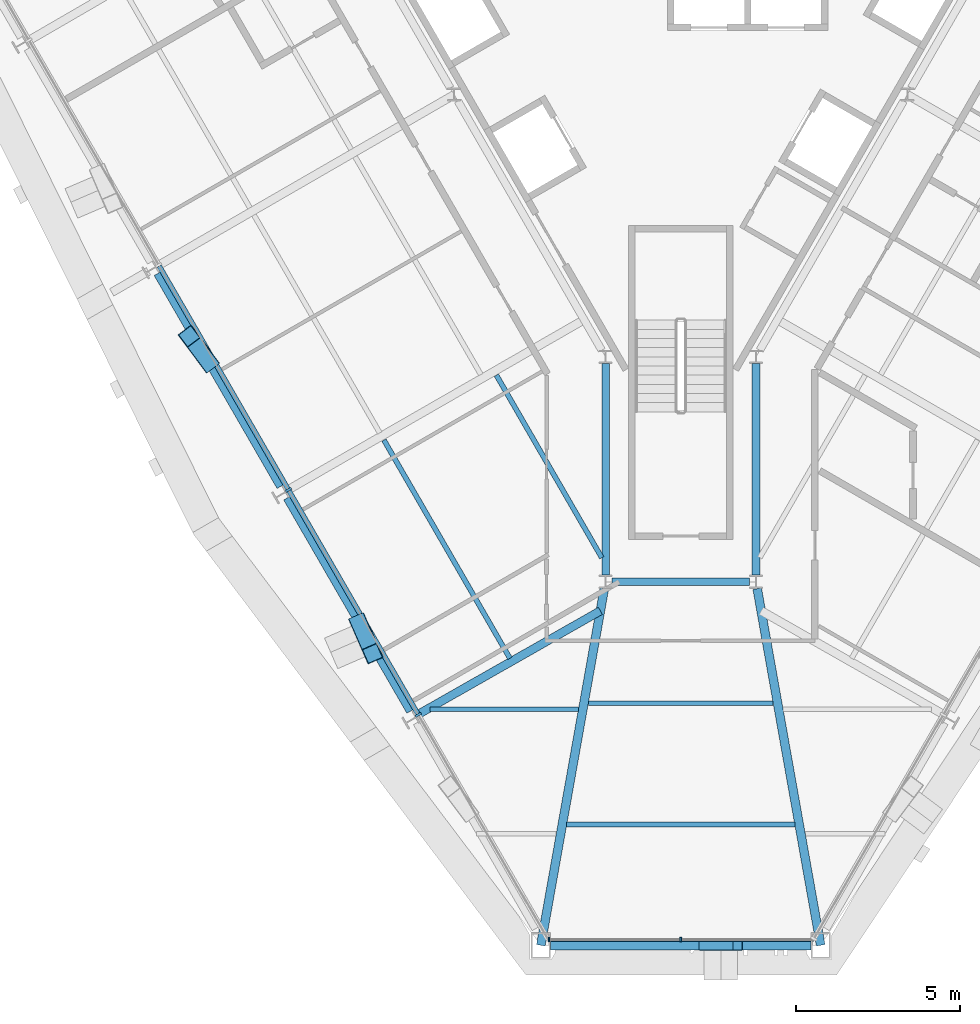
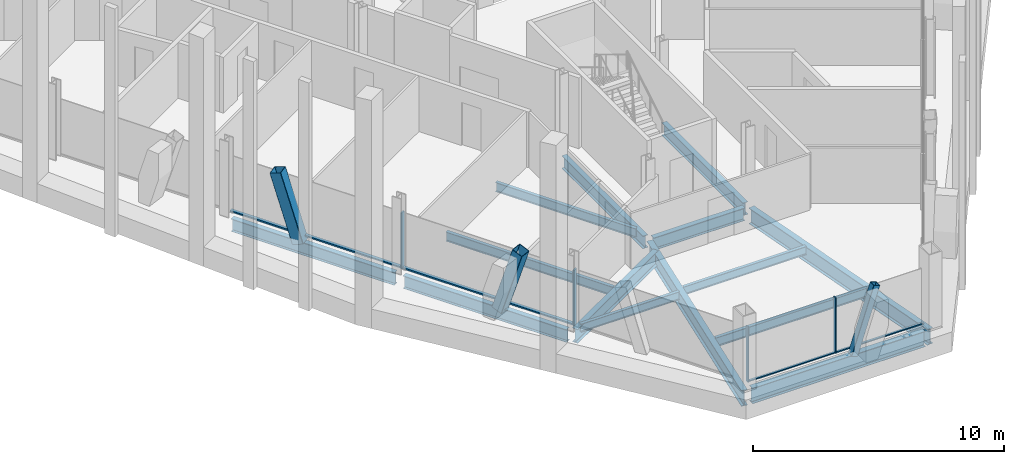
# One storey, part 3 of 15: 14 beams, 11 members, 2 elements without a shape of their own.
"""IFC4 building model written with IfcOpenShell, lengths in metres."""

import ifcopenshell
import ifcopenshell.guid

model = None  # the IFC model being written
_history = None  # IfcOwnerHistory: only IFC2X3 demands one
_inside = {}  # id of a spatial element -> (the spatial element, [elements in it])
_under = {}  # id of a project, library or spatial element -> (it, [spatial elements below it])
_declared = {}  # id of a project -> (the project, [libraries it declares])
_typed = {}  # id of a type object -> (the type object, [elements of that type])
_made_of = {}  # id of a material, layer set ... -> (it, [elements and type objects made of it])


def new_model(schema):
    """Start an empty IFC model of exactly this schema.

    Asked for "IFC4X3", IfcOpenShell would pick the latest addendum, in which some entities
    have other attributes; the version numbers below select the first issue.
    IFC2X3 requires an IfcOwnerHistory on every rooted entity: one is made here for all.
    """
    global model, _history
    if schema == "IFC4X3":
        model = ifcopenshell.file(schema_version=(4, 3, 0, 0))
    else:
        model = ifcopenshell.file(schema=schema)
    _inside.clear()
    _under.clear()
    _declared.clear()
    _typed.clear()
    _made_of.clear()
    _history = None
    if model.schema == "IFC2X3":
        org = make("IfcOrganization", Name="unknown")
        user = make(
            "IfcPersonAndOrganization",
            ThePerson=make("IfcPerson", FamilyName="unknown"),
            TheOrganization=org,
        )
        app = make(
            "IfcApplication",
            ApplicationDeveloper=org,
            Version="unknown",
            ApplicationFullName="unknown",
            ApplicationIdentifier="unknown",
        )
        _history = make(
            "IfcOwnerHistory",
            OwningUser=user,
            OwningApplication=app,
            ChangeAction="ADDED",
            CreationDate=0,
        )
    return model


def make(cls, **values):
    """One entity of the class cls with the attributes given. An attribute that is None is left unset."""
    return model.create_entity(
        cls, **{name: value for name, value in values.items() if value is not None}
    )


def rooted(cls, **values):
    """An entity with a GlobalId (a new one), such as an element, a storey or a relation."""
    return make(cls, GlobalId=ifcopenshell.guid.new(), OwnerHistory=_history, **values)


def si_unit(unit_type, name, prefix=None):
    """IfcSIUnit, for example si_unit("LENGTHUNIT", "METRE", prefix="MILLI")."""
    return make("IfcSIUnit", UnitType=unit_type, Prefix=prefix, Name=name)


def assignment(units):
    """IfcUnitAssignment: the units of a project."""
    return None if units is None else make("IfcUnitAssignment", Units=units)


def point(xyz):
    """IfcCartesianPoint."""
    return None if xyz is None else make("IfcCartesianPoint", Coordinates=xyz)


def direction(xyz):
    """IfcDirection."""
    return None if xyz is None else make("IfcDirection", DirectionRatios=xyz)


def frame(location, z_axis=None, x_axis=None):
    """IfcAxis2Placement3D, a coordinate frame: its origin and axes. An axis left out is left unset."""
    return make(
        "IfcAxis2Placement3D",
        Location=point(location),
        Axis=direction(z_axis),
        RefDirection=direction(x_axis),
    )


def frame_2d(location, x_axis=None):
    """IfcAxis2Placement2D, a coordinate frame in the plane: its origin and x axis."""
    return make(
        "IfcAxis2Placement2D", Location=point(location), RefDirection=direction(x_axis)
    )


def origin():
    """The frame at (0, 0, 0) with its axes left unset."""
    return frame((0.0, 0.0, 0.0))


def origin_2d():
    """The frame at (0, 0) in the plane with its x axis left unset."""
    return frame_2d((0.0, 0.0))


def place(relative_to, where):
    """IfcLocalPlacement: puts the frame where relative to a parent placement (None: the world)."""
    return make(
        "IfcLocalPlacement", PlacementRelTo=relative_to, RelativePlacement=where
    )


def context(
    kind, dimensions, precision=None, world=None, true_north=None, identifier=None
):
    """IfcGeometricRepresentationContext, for example the 3D "Model" context."""
    return make(
        "IfcGeometricRepresentationContext",
        ContextIdentifier=identifier,
        ContextType=kind,
        CoordinateSpaceDimension=dimensions,
        Precision=precision,
        WorldCoordinateSystem=world,
        TrueNorth=true_north,
    )


def subcontext(parent, identifier, kind, view, scale=None):
    """IfcGeometricRepresentationSubContext, for example "Body" below "Model"."""
    return make(
        "IfcGeometricRepresentationSubContext",
        ContextIdentifier=identifier,
        ContextType=kind,
        ParentContext=parent,
        TargetScale=scale,
        TargetView=view,
    )


def project(units=None, contexts=None):
    """IfcProject with its units and contexts."""
    return rooted(
        "IfcProject",
        Name="project",
        RepresentationContexts=contexts,
        UnitsInContext=assignment(units),
    )


def spatial(cls, under=None, at=None, **own):
    """A site, building, storey or space (cls), placed at a placement, below another one or the project."""
    s = rooted(cls, ObjectPlacement=at, **own)
    if under is not None:
        _under.setdefault(under.id(), (under, []))[1].append(s)
    return s


def profile(cls, at=None, kind="AREA", **sizes):
    """A parametric profile (cls). Its sizes go by their IFC names, for example OverallWidth=200.0."""
    return make(cls, ProfileType=kind, Position=at, **sizes)


def rectangle(**sizes):
    """IfcRectangleProfileDef."""
    return profile("IfcRectangleProfileDef", **sizes)


def hollow_rectangle(**sizes):
    """IfcRectangleHollowProfileDef."""
    return profile("IfcRectangleHollowProfileDef", **sizes)


def i_section(**sizes):
    """IfcIShapeProfileDef."""
    return profile("IfcIShapeProfileDef", **sizes)


def extrude(swept, where, along, depth):
    """IfcExtrudedAreaSolid: the profile swept, set in the frame where, extruded along a direction by depth."""
    return make(
        "IfcExtrudedAreaSolid",
        SweptArea=swept,
        Position=where,
        ExtrudedDirection=direction(along),
        Depth=depth,
    )


def shape(context_of_items, identifier, shape_type, items):
    """IfcShapeRepresentation: the items that make up one representation, for example the "Body"."""
    return make(
        "IfcShapeRepresentation",
        ContextOfItems=context_of_items,
        RepresentationIdentifier=identifier,
        RepresentationType=shape_type,
        Items=items,
    )


def material(Name=None, Category=None):
    """IfcMaterial."""
    return make("IfcMaterial", Name=Name, Category=Category)


def material_profile(
    of_material, cross_section, Name=None, Category=None, Priority=None
):
    """IfcMaterialProfile: a cross section and its material."""
    return make(
        "IfcMaterialProfile",
        Name=Name,
        Material=of_material,
        Profile=cross_section,
        Priority=Priority,
        Category=Category,
    )


def profile_set(profiles, Name=None, composite=None):
    """IfcMaterialProfileSet."""
    return make(
        "IfcMaterialProfileSet",
        Name=Name,
        MaterialProfiles=profiles,
        CompositeProfile=composite,
    )


def made_of(thing, what):
    """Note that an element or type object is made of a material, layer set ...; save() writes the relation."""
    if what is not None:
        _made_of.setdefault(what.id(), (what, []))[1].append(thing)
    return thing


def type_object(cls, material=None, **own):
    """A type object (cls), such as IfcWallType, which elements share."""
    return made_of(rooted(cls, **own), material)


def element(
    cls,
    number,
    at=None,
    inside=None,
    cuts=None,
    type_object=None,
    material=None,
    context=None,
    identifier="Body",
    shape_type=None,
    held_by="IfcProductDefinitionShape",
    body=None,
    shapes=None,
    **own,
):
    """One element of the class cls, such as IfcWall. Its Tag is "e" and its number.

    at: its placement. inside: the storey or other place that contains it. cuts: it is an
    opening in that element (IfcRelVoidsElement). A single representation is given by context,
    identifier, shape_type and body (its items); several are given by shapes. held_by: the class
    of the entity that holds the representations. save() writes the other relations.
    """
    e = rooted(cls, Tag="e%d" % number, ObjectPlacement=at, **own)
    if body is not None:
        shapes = [shape(context, identifier, shape_type, body)]
    if shapes is not None:
        e.Representation = make(held_by, Representations=shapes)
    if inside is not None:
        _inside.setdefault(inside.id(), (inside, []))[1].append(e)
    if cuts is not None:
        rooted(
            "IfcRelVoidsElement", RelatingBuildingElement=cuts, RelatedOpeningElement=e
        )
    if type_object is not None:
        _typed.setdefault(type_object.id(), (type_object, []))[1].append(e)
    return made_of(e, material)


def aggregate(whole, parts):
    """IfcRelAggregates: a whole, such as a stair, and the parts it consists of."""
    return rooted("IfcRelAggregates", RelatingObject=whole, RelatedObjects=parts)


def save(model, path):
    """Write the relations noted so far, then the file.

    IfcRelAggregates (storeys below a building ...), IfcRelContainedInSpatialStructure (elements
    in a storey), IfcRelDefinesByType, IfcRelAssociatesMaterial and IfcRelDeclares: one each for
    every whole, place, type object, material and project.
    """
    for whole, parts in _under.values():
        aggregate(whole, parts)
    for where, things in _inside.values():
        rooted(
            "IfcRelContainedInSpatialStructure",
            RelatedElements=things,
            RelatingStructure=where,
        )
    for kind, things in _typed.values():
        rooted("IfcRelDefinesByType", RelatedObjects=things, RelatingType=kind)
    for what, things in _made_of.values():
        rooted("IfcRelAssociatesMaterial", RelatedObjects=things, RelatingMaterial=what)
    for by, libraries in _declared.values():
        rooted("IfcRelDeclares", RelatingContext=by, RelatedDefinitions=libraries)
    model.write(path)


model = new_model("IFC4")

# Units and contexts
model_context = context("Model", 3, precision=1e-05, world=origin(), true_north=direction((0.0, 1.0)))
body_context = subcontext(model_context, "Body", "Model", "MODEL_VIEW")
ifc_project = project(units=[si_unit("LENGTHUNIT", "METRE"), si_unit("AREAUNIT", "SQUARE_METRE"), si_unit("VOLUMEUNIT", "CUBIC_METRE"), si_unit("PLANEANGLEUNIT", "RADIAN"), si_unit("MASSUNIT", "GRAM", prefix="KILO")], contexts=[model_context])

# Site, building, storey
site_placement = place(None, origin())
site = spatial("IfcSite", under=ifc_project, at=site_placement, CompositionType="ELEMENT")
building_placement = place(site_placement, origin())
building = spatial("IfcBuilding", under=site, at=building_placement, Name="Verrane Prism Tower", CompositionType="ELEMENT")
storey_placement = place(building_placement, frame((0.0, 0.0, 189.5)))
storey = spatial("IfcBuildingStorey", under=building, at=storey_placement, Name="L47", CompositionType="ELEMENT", Elevation=189.5)

# Member
ifc_material_1 = material(Name="Steel A500 Grade C", Category="steel")
ifc_material_profile_1 = material_profile(ifc_material_1, hollow_rectangle(XDim=0.3046875, YDim=0.3046875, WallThickness=0.0126953125, InnerFilletRadius=0.00634765625, OuterFilletRadius=0.01904296875, at=origin_2d()), Name="HSS12x12x1/2")
ifc_profile_set_1 = profile_set([ifc_material_profile_1], Name="Steel A500 Grade C")
member_type_1 = type_object("IfcMemberType", Name="Chamfer brace HSS12x12x1/2", PredefinedType="BRACE", material=ifc_profile_set_1)
member_1_placement = place(storey_placement, frame((0.709228515625, -30.02001953125, -0.24267578125), z_axis=(0.313832740358, 0.0, 0.949478283627), x_axis=(0.0, 1.0, 0.0)))
element("IfcMember", 1, at=member_1_placement, inside=storey, type_object=member_type_1, Name="Chamfer brace S0 L47", PredefinedType="BRACE", context=body_context, shape_type="SweptSolid", body=[
    extrude(hollow_rectangle(XDim=0.3046875, YDim=0.3046875, WallThickness=0.0126953125, InnerFilletRadius=0.00634765625, OuterFilletRadius=0.01904296875, at=origin_2d()), origin(), (0.0, 0.0, 1.0), 3.2734375),
])

# Beams
ifc_material_2 = material(Name="Steel A992", Category="steel")
ifc_material_profile_2 = material_profile(ifc_material_2, i_section(OverallWidth=0.2666015625, OverallDepth=0.7568359375, WebThickness=0.013916015625, FlangeThickness=0.019287109375, FilletRadius=0.0166015625, at=origin_2d()), Name="W30x108")
ifc_profile_set_2 = profile_set([ifc_material_profile_2], Name="Steel A992")
beam_type_1 = type_object("IfcBeamType", Name="Chamfer spandrel beam W30x108", PredefinedType="SPANDREL", material=ifc_profile_set_2)
beam_1_placement = place(storey_placement, frame((-3.97998046875, -30.02001953125, -0.53857421875), z_axis=(1.0, 0.0, 0.0), x_axis=(0.0, 1.0, 0.0)))
element("IfcBeam", 2, at=beam_1_placement, inside=storey, type_object=beam_type_1, Name="Chamfer spandrel beam L47", PredefinedType="SPANDREL", context=body_context, shape_type="SweptSolid", body=[
    extrude(i_section(OverallWidth=0.2666015625, OverallDepth=0.7568359375, WebThickness=0.013916015625, FlangeThickness=0.019287109375, FilletRadius=0.0166015625, at=origin_2d()), origin(), (0.0, 0.0, 1.0), 7.9599609375),
])
ifc_material_3 = material(Name="Steel A992", Category="steel")
ifc_material_profile_3 = material_profile(ifc_material_3, i_section(OverallWidth=0.23046875, OverallDepth=0.6171875, WebThickness=0.01318359375, FlangeThickness=0.022216796875, FilletRadius=0.012939453125, at=origin_2d()), Name="W24x94")
ifc_profile_set_3 = profile_set([ifc_material_profile_3], Name="Steel A992")
beam_type_2 = type_object("IfcBeamType", Name="Core ring girder W24x94", PredefinedType="BEAM", material=ifc_profile_set_3)
beam_2_placement = place(storey_placement, frame((-2.300048828125, -12.219482421875, -0.55859375), z_axis=(0.0, -1.0, 0.0), x_axis=(1.0, 0.0, 0.0)))
element("IfcBeam", 3, at=beam_2_placement, inside=storey, type_object=beam_type_2, Name="Core ring girder L47", PredefinedType="BEAM", context=body_context, shape_type="SweptSolid", body=[
    extrude(i_section(OverallWidth=0.23046875, OverallDepth=0.6171875, WebThickness=0.01318359375, FlangeThickness=0.022216796875, FilletRadius=0.012939453125, at=origin_2d()), origin(), (0.0, 0.0, 1.0), 6.47216796875),
])
beam_3_placement = place(storey_placement, frame((-2.0966796875, -18.89990234375, -0.55859375), z_axis=(1.0, 0.0, 0.0), x_axis=(0.0, 1.0, 0.0)))
element("IfcBeam", 4, at=beam_3_placement, inside=storey, type_object=beam_type_2, Name="Core ring girder L47", PredefinedType="BEAM", context=body_context, shape_type="SweptSolid", body=[
    extrude(i_section(OverallWidth=0.23046875, OverallDepth=0.6171875, WebThickness=0.01318359375, FlangeThickness=0.022216796875, FilletRadius=0.012939453125, at=origin_2d()), origin(), (0.0, 0.0, 1.0), 4.193359375),
])
beam_4_placement = place(storey_placement, frame((2.300048828125, -18.691650390625, -0.55859375), z_axis=(0.0, 1.0, 0.0), x_axis=(-1.0, 0.0, 0.0)))
element("IfcBeam", 5, at=beam_4_placement, inside=storey, type_object=beam_type_2, Name="Core ring girder L47", PredefinedType="BEAM", context=body_context, shape_type="SweptSolid", body=[
    extrude(i_section(OverallWidth=0.23046875, OverallDepth=0.6171875, WebThickness=0.01318359375, FlangeThickness=0.022216796875, FilletRadius=0.012939453125, at=origin_2d()), origin(), (0.0, 0.0, 1.0), 6.47216796875),
])
ifc_material_4 = material(Name="Steel A992", Category="steel")
ifc_material_profile_4 = material_profile(ifc_material_4, i_section(OverallWidth=0.2666015625, OverallDepth=0.76708984375, WebThickness=0.014892578125, FlangeThickness=0.023681640625, FilletRadius=0.0166015625, at=origin_2d()), Name="W30x124")
ifc_profile_set_4 = profile_set([ifc_material_profile_4], Name="Steel A992")
beam_type_3 = type_object("IfcBeamType", Name="Corner girder W30x124", PredefinedType="BEAM", material=ifc_profile_set_4)
beam_5_placement = place(storey_placement, frame((-4.2783203125, -30.010986328125, -0.603515625), z_axis=(0.175289303182, 0.984516967954, 0.0), x_axis=(-0.984516967954, 0.175289303182, 0.0)))
element("IfcBeam", 6, at=beam_5_placement, inside=storey, type_object=beam_type_3, Name="Corner girder L47", PredefinedType="BEAM", context=body_context, shape_type="SweptSolid", body=[
    extrude(i_section(OverallWidth=0.2666015625, OverallDepth=0.76708984375, WebThickness=0.014892578125, FlangeThickness=0.023681640625, FilletRadius=0.0166015625, at=origin_2d()), origin(), (0.0, 0.0, 1.0), 11.073974609375),
])
beam_6_placement = place(storey_placement, frame((4.2783203125, -30.010498046875, -0.603515625), z_axis=(-0.175296912765, 0.984515613068, 0.0), x_axis=(-0.984515613068, -0.175296912765, 0.0)))
element("IfcBeam", 7, at=beam_6_placement, inside=storey, type_object=beam_type_3, Name="Corner girder L47", PredefinedType="BEAM", context=body_context, shape_type="SweptSolid", body=[
    extrude(i_section(OverallWidth=0.2666015625, OverallDepth=0.76708984375, WebThickness=0.014892578125, FlangeThickness=0.023681640625, FilletRadius=0.0166015625, at=origin_2d()), origin(), (0.0, 0.0, 1.0), 11.073486328125),
])

# Members
ifc_material_5 = material(Name="Steel A500 Grade C", Category="steel")
ifc_material_profile_5 = material_profile(ifc_material_5, hollow_rectangle(XDim=0.508056640625, YDim=0.508056640625, WallThickness=0.01904296875, InnerFilletRadius=0.009521484375, OuterFilletRadius=0.028564453125, at=origin_2d()), Name="HSS20x20x3/4")
ifc_profile_set_5 = profile_set([ifc_material_profile_5], Name="Steel A500 Grade C")
member_type_2 = type_object("IfcMemberType", Name="Facade brace HSS20x20x3/4", PredefinedType="BRACE", material=ifc_profile_set_5)
member_2_placement = place(storey_placement, frame((-14.442138671875, -12.1767578125, -0.216796875), z_axis=(-0.175063394954, 0.234732478674, 0.956166027007), x_axis=(-0.801613293735, -0.597842895172, 0.0)))
element("IfcMember", 8, at=member_2_placement, inside=storey, type_object=member_type_2, Name="Facade brace SW3 L47", PredefinedType="BRACE", context=body_context, shape_type="SweptSolid", body=[
    extrude(hollow_rectangle(XDim=0.508056640625, YDim=0.508056640625, WallThickness=0.01904296875, InnerFilletRadius=0.009521484375, OuterFilletRadius=0.028564453125, at=origin_2d()), origin(), (0.0, 0.0, 1.0), 3.3427734375),
])
member_3_placement = place(storey_placement, frame((-9.83349609375, -20.158935546875, -0.216796875), z_axis=(0.121178905149, -0.278238411041, 0.952837373096), x_axis=(0.916822055057, 0.399296029733, 0.0)))
element("IfcMember", 9, at=member_3_placement, inside=storey, type_object=member_type_2, Name="Facade brace SW4 L47", PredefinedType="BRACE", context=body_context, shape_type="SweptSolid", body=[
    extrude(hollow_rectangle(XDim=0.508056640625, YDim=0.508056640625, WallThickness=0.01904296875, InnerFilletRadius=0.009521484375, OuterFilletRadius=0.028564453125, at=origin_2d()), origin(), (0.0, 0.0, 1.0), 3.3544921875),
])

# Beams
ifc_material_6 = material(Name="Steel A992", Category="steel")
ifc_material_profile_6 = material_profile(ifc_material_6, i_section(OverallWidth=0.140380859375, OverallDepth=0.40380859375, WebThickness=0.007080078125, FlangeThickness=0.01123046875, FilletRadius=0.01025390625, at=origin_2d()), Name="W16x31")
ifc_profile_set_6 = profile_set([ifc_material_profile_6], Name="Steel A992")
beam_type_4 = type_object("IfcBeamType", Name="Floor beam W16x31", PredefinedType="BEAM", material=ifc_profile_set_6)
beam_7_placement = place(storey_placement, frame((-7.672119140625, -22.796630859375, -0.36181640625), z_axis=(1.0, 0.0, 0.0), x_axis=(0.0, 1.0, 0.0)))
element("IfcBeam", 10, at=beam_7_placement, inside=storey, type_object=beam_type_4, Name="Floor beam L47", PredefinedType="BEAM", context=body_context, shape_type="SweptSolid", body=[
    extrude(i_section(OverallWidth=0.140380859375, OverallDepth=0.40380859375, WebThickness=0.007080078125, FlangeThickness=0.01123046875, FilletRadius=0.01025390625, at=origin_2d()), origin(), (0.0, 0.0, 1.0), 4.541015625),
])
beam_8_placement = place(storey_placement, frame((-2.825927734375, -22.606689453125, -0.36181640625), z_axis=(1.0, 0.0, 0.0), x_axis=(0.0, 1.0, 0.0)))
element("IfcBeam", 11, at=beam_8_placement, inside=storey, type_object=beam_type_4, Name="Floor beam L47", PredefinedType="BEAM", context=body_context, shape_type="SweptSolid", body=[
    extrude(i_section(OverallWidth=0.140380859375, OverallDepth=0.40380859375, WebThickness=0.007080078125, FlangeThickness=0.01123046875, FilletRadius=0.01025390625, at=origin_2d()), origin(), (0.0, 0.0, 1.0), 5.65185546875),
])
ifc_material_7 = material(Name="Steel A992", Category="steel")
ifc_material_profile_7 = material_profile(ifc_material_7, i_section(OverallWidth=0.15234375, OverallDepth=0.449462890625, WebThickness=0.007568359375, FlangeThickness=0.0107421875, FilletRadius=0.01025390625, at=origin_2d()), Name="W18x35")
ifc_profile_set_7 = profile_set([ifc_material_profile_7], Name="Steel A992")
beam_type_5 = type_object("IfcBeamType", Name="Floor beam W18x35", PredefinedType="BEAM", material=ifc_profile_set_7)
beam_9_placement = place(storey_placement, frame((-2.4150390625, -18.16064453125, -0.384765625), z_axis=(-0.499994722028, 0.866028451001, 0.0), x_axis=(-0.866028451001, -0.499994722028, 0.0)))
element("IfcBeam", 12, at=beam_9_placement, inside=storey, type_object=beam_type_5, Name="Floor beam L47", PredefinedType="BEAM", context=body_context, shape_type="SweptSolid", body=[
    extrude(i_section(OverallWidth=0.15234375, OverallDepth=0.449462890625, WebThickness=0.007568359375, FlangeThickness=0.0107421875, FilletRadius=0.01025390625, at=origin_2d()), origin(), (0.0, 0.0, 1.0), 6.4423828125),
])
beam_10_placement = place(storey_placement, frame((-5.222900390625, -21.237060546875, -0.384765625), z_axis=(-0.500007761655, 0.866020922544, 0.0), x_axis=(-0.866020922544, -0.500007761655, 0.0)))
element("IfcBeam", 13, at=beam_10_placement, inside=storey, type_object=beam_type_5, Name="Floor beam L47", PredefinedType="BEAM", context=body_context, shape_type="SweptSolid", body=[
    extrude(i_section(OverallWidth=0.15234375, OverallDepth=0.449462890625, WebThickness=0.007568359375, FlangeThickness=0.0107421875, FilletRadius=0.01025390625, at=origin_2d()), origin(), (0.0, 0.0, 1.0), 7.70361328125),
])
beam_11_placement = place(storey_placement, frame((-3.486083984375, -26.313232421875, -0.384765625), z_axis=(1.0, 0.0, 0.0), x_axis=(0.0, 1.0, 0.0)))
element("IfcBeam", 14, at=beam_11_placement, inside=storey, type_object=beam_type_5, Name="Floor beam L47", PredefinedType="BEAM", context=body_context, shape_type="SweptSolid", body=[
    extrude(i_section(OverallWidth=0.15234375, OverallDepth=0.449462890625, WebThickness=0.007568359375, FlangeThickness=0.0107421875, FilletRadius=0.01025390625, at=origin_2d()), origin(), (0.0, 0.0, 1.0), 6.97216796875),
])

# Curtain wall, members
ifc_material_8 = material(Name="Aluminium framed insulated glazing", Category="aluminium")
curtain_wall_type_1 = type_object("IfcCurtainWallType", Name="Curtain wall CW-C 4200 module", PredefinedType="NOTDEFINED", material=ifc_material_8)
curtain_wall_1_placement = place(storey_placement, origin())
curtain_wall_1 = element("IfcCurtainWall", 15, at=curtain_wall_1_placement, inside=storey, type_object=curtain_wall_type_1, Name="Glazed curtain wall south corner L47", PredefinedType="NOTDEFINED")
ifc_material_9 = material(Name="Aluminium alloy 6063-T6", Category="aluminium")
ifc_material_profile_8 = material_profile(ifc_material_9, rectangle(XDim=0.139892578125, YDim=0.050048828125, at=origin_2d()), Name="Mullion 50x140 aluminium")
ifc_profile_set_8 = profile_set([ifc_material_profile_8], Name="Aluminium alloy 6063-T6")
member_type_3 = type_object("IfcMemberType", Name="Mullion 50x140 aluminium", PredefinedType="MULLION", material=ifc_profile_set_8)
member_4_placement = place(storey_placement, frame((-4.0302734375, -29.838134765625, 0.0), z_axis=(0.0, 0.0, 1.0), x_axis=(0.0, 1.0, 0.0)))
member_4 = element("IfcMember", 16, at=member_4_placement, type_object=member_type_3, Name="CW47.5 mullion 1", PredefinedType="MULLION", context=body_context, shape_type="SweptSolid", body=[
    extrude(rectangle(XDim=0.139892578125, YDim=0.050048828125, at=origin_2d()), origin(), (0.0, 0.0, 1.0), 2.712890625),
])
member_5_placement = place(storey_placement, frame((0.0, -29.838134765625, 0.0), z_axis=(0.0, 0.0, 1.0), x_axis=(0.0, 1.0, 0.0)))
member_5 = element("IfcMember", 17, at=member_5_placement, type_object=member_type_3, Name="CW47.5 mullion 2", PredefinedType="MULLION", context=body_context, shape_type="SweptSolid", body=[
    extrude(rectangle(XDim=0.139892578125, YDim=0.050048828125, at=origin_2d()), origin(), (0.0, 0.0, 1.0), 2.712890625),
])

ifc_material_10 = material(Name="Aluminium framed insulated glazing", Category="aluminium")
curtain_wall_type_2 = type_object("IfcCurtainWallType", Name="Curtain wall CW-A 8400 module", PredefinedType="NOTDEFINED", material=ifc_material_10)
curtain_wall_2_placement = place(storey_placement, origin())
curtain_wall_2 = element("IfcCurtainWall", 18, at=curtain_wall_2_placement, inside=storey, type_object=curtain_wall_type_2, Name="Glazed curtain wall south-west face L47", PredefinedType="NOTDEFINED")
ifc_material_11 = material(Name="Aluminium alloy 6063-T6", Category="aluminium")
ifc_material_profile_9 = material_profile(ifc_material_11, rectangle(XDim=0.199951171875, YDim=0.070068359375, at=origin_2d()), Name="Mullion 70x200 aluminium")
ifc_profile_set_9 = profile_set([ifc_material_profile_9], Name="Aluminium alloy 6063-T6")
member_type_4 = type_object("IfcMemberType", Name="Mullion 70x200 aluminium", PredefinedType="MULLION", material=ifc_profile_set_9)
member_6_placement = place(storey_placement, frame((-11.992919921875, -16.089599609375, 0.0), z_axis=(0.0, 0.0, 1.0), x_axis=(0.866025652206, 0.499999569721, 0.0)))
member_6 = element("IfcMember", 19, at=member_6_placement, type_object=member_type_4, Name="CW47.4 mullion 5", PredefinedType="MULLION", context=body_context, shape_type="SweptSolid", body=[
    extrude(rectangle(XDim=0.199951171875, YDim=0.070068359375, at=origin_2d()), origin(), (0.0, 0.0, 1.0), 2.712890625),
])
member_7_placement = place(storey_placement, frame((-8.024169921875, -22.9638671875, 0.0), z_axis=(0.0, 0.0, 1.0), x_axis=(0.866025652206, 0.499999569721, 0.0)))
member_7 = element("IfcMember", 20, at=member_7_placement, type_object=member_type_4, Name="CW47.4 mullion 6", PredefinedType="MULLION", context=body_context, shape_type="SweptSolid", body=[
    extrude(rectangle(XDim=0.199951171875, YDim=0.070068359375, at=origin_2d()), origin(), (0.0, 0.0, 1.0), 2.712890625),
])

# Beams
ifc_material_12 = material(Name="Steel A992", Category="steel")
ifc_material_profile_10 = material_profile(ifc_material_12, i_section(OverallWidth=0.25390625, OverallDepth=0.683349609375, WebThickness=0.012451171875, FlangeThickness=0.01904296875, FilletRadius=0.01513671875, at=origin_2d()), Name="W27x94")
ifc_profile_set_10 = profile_set([ifc_material_profile_10], Name="Steel A992")
beam_type_6 = type_object("IfcBeamType", Name="Radial girder W27x94", PredefinedType="BEAM", material=ifc_profile_set_10)
beam_12_placement = place(storey_placement, frame((-7.991455078125, -22.931396484375, -0.5615234375), z_axis=(0.869364435305, 0.4941715073, 0.0), x_axis=(-0.4941715073, 0.869364435305, 0.0)))
element("IfcBeam", 21, at=beam_12_placement, inside=storey, type_object=beam_type_6, Name="Radial girder L47", PredefinedType="BEAM", context=body_context, shape_type="SweptSolid", body=[
    extrude(i_section(OverallWidth=0.25390625, OverallDepth=0.683349609375, WebThickness=0.012451171875, FlangeThickness=0.01904296875, FilletRadius=0.01513671875, at=origin_2d()), origin(), (0.0, 0.0, 1.0), 6.365234375),
])
ifc_material_13 = material(Name="Steel A992", Category="steel")
ifc_material_profile_11 = material_profile(ifc_material_13, i_section(OverallWidth=0.23046875, OverallDepth=0.6171875, WebThickness=0.01318359375, FlangeThickness=0.022216796875, FilletRadius=0.012939453125, at=origin_2d()), Name="W24x94")
ifc_profile_set_11 = profile_set([ifc_material_profile_11], Name="Steel A992")
beam_type_7 = type_object("IfcBeamType", Name="Spandrel beam W24x94", PredefinedType="SPANDREL", material=ifc_profile_set_11)
beam_13_placement = place(storey_placement, frame((-15.99951171875, -9.478271484375, -0.468505859375), z_axis=(0.499866795347, -0.866102295869, 0.0), x_axis=(0.866102295869, 0.499866795347, 0.0)))
element("IfcBeam", 22, at=beam_13_placement, inside=storey, type_object=beam_type_7, Name="Spandrel beam L47", PredefinedType="SPANDREL", context=body_context, shape_type="SweptSolid", body=[
    extrude(i_section(OverallWidth=0.23046875, OverallDepth=0.6171875, WebThickness=0.01318359375, FlangeThickness=0.022216796875, FilletRadius=0.012939453125, at=origin_2d()), origin(), (0.0, 0.0, 1.0), 7.51611328125),
])
beam_14_placement = place(storey_placement, frame((-12.039306640625, -16.340087890625, -0.468505859375), z_axis=(0.500178170907, -0.865922512323, 0.0), x_axis=(0.865922512323, 0.500178170907, 0.0)))
element("IfcBeam", 23, at=beam_14_placement, inside=storey, type_object=beam_type_7, Name="Spandrel beam L47", PredefinedType="SPANDREL", context=body_context, shape_type="SweptSolid", body=[
    extrude(i_section(OverallWidth=0.23046875, OverallDepth=0.6171875, WebThickness=0.01318359375, FlangeThickness=0.022216796875, FilletRadius=0.012939453125, at=origin_2d()), origin(), (0.0, 0.0, 1.0), 7.527587890625),
])

# Member
ifc_material_14 = material(Name="Aluminium alloy 6063-T6", Category="aluminium")
ifc_material_profile_12 = material_profile(ifc_material_14, rectangle(XDim=0.10009765625, YDim=0.050048828125, at=origin_2d()), Name="Transom 50x100 aluminium")
ifc_profile_set_12 = profile_set([ifc_material_profile_12], Name="Aluminium alloy 6063-T6")
member_type_5 = type_object("IfcMemberType", Name="Transom 50x100 aluminium", PredefinedType="USERDEFINED", material=ifc_profile_set_12)
member_8_placement = place(storey_placement, frame((-4.00537109375, -29.838134765625, 0.02490234375), z_axis=(1.0, 0.0, 0.0), x_axis=(0.0, 1.0, 0.0)))
member_8 = element("IfcMember", 24, at=member_8_placement, type_object=member_type_5, Name="CW47.5 transom 1", ObjectType="TRANSOM", PredefinedType="USERDEFINED", context=body_context, shape_type="SweptSolid", body=[
    extrude(rectangle(XDim=0.10009765625, YDim=0.050048828125, at=origin_2d()), origin(), (0.0, 0.0, 1.0), 3.98046875),
])

member_9_placement = place(storey_placement, frame((0.02490234375, -29.838134765625, 0.02490234375), z_axis=(1.0, 0.0, 0.0), x_axis=(0.0, 1.0, 0.0)))
member_9 = element("IfcMember", 25, at=member_9_placement, type_object=member_type_5, Name="CW47.5 transom 2", ObjectType="TRANSOM", PredefinedType="USERDEFINED", context=body_context, shape_type="SweptSolid", body=[
    extrude(rectangle(XDim=0.10009765625, YDim=0.050048828125, at=origin_2d()), origin(), (0.0, 0.0, 1.0), 4.030517578125),
])

aggregate(curtain_wall_1, [member_4, member_5, member_8, member_9])

ifc_material_15 = material(Name="Aluminium alloy 6063-T6", Category="aluminium")
ifc_material_profile_13 = material_profile(ifc_material_15, rectangle(XDim=0.14990234375, YDim=0.070068359375, at=origin_2d()), Name="Transom 70x150 aluminium")
ifc_profile_set_13 = profile_set([ifc_material_profile_13], Name="Aluminium alloy 6063-T6")
member_type_6 = type_object("IfcMemberType", Name="Transom 70x150 aluminium", PredefinedType="USERDEFINED", material=ifc_profile_set_13)
member_10_placement = place(storey_placement, frame((-15.9443359375, -9.245849609375, 0.034912109375), z_axis=(0.50000718421, -0.866021255939, 0.0), x_axis=(0.866021255939, 0.50000718421, 0.0)))
member_10 = element("IfcMember", 26, at=member_10_placement, type_object=member_type_6, Name="CW47.4 transom 4", ObjectType="TRANSOM", PredefinedType="USERDEFINED", context=body_context, shape_type="SweptSolid", body=[
    extrude(rectangle(XDim=0.14990234375, YDim=0.070068359375, at=origin_2d()), origin(), (0.0, 0.0, 1.0), 7.86767578125),
])

member_11_placement = place(storey_placement, frame((-11.975341796875, -16.1201171875, 0.034912109375), z_axis=(0.50000718421, -0.866021255939, 0.0), x_axis=(0.866021255939, 0.50000718421, 0.0)))
member_11 = element("IfcMember", 27, at=member_11_placement, type_object=member_type_6, Name="CW47.4 transom 5", ObjectType="TRANSOM", PredefinedType="USERDEFINED", context=body_context, shape_type="SweptSolid", body=[
    extrude(rectangle(XDim=0.14990234375, YDim=0.070068359375, at=origin_2d()), origin(), (0.0, 0.0, 1.0), 7.86767578125),
])

aggregate(curtain_wall_2, [member_6, member_7, member_10, member_11])

save(model, "model.ifc")
